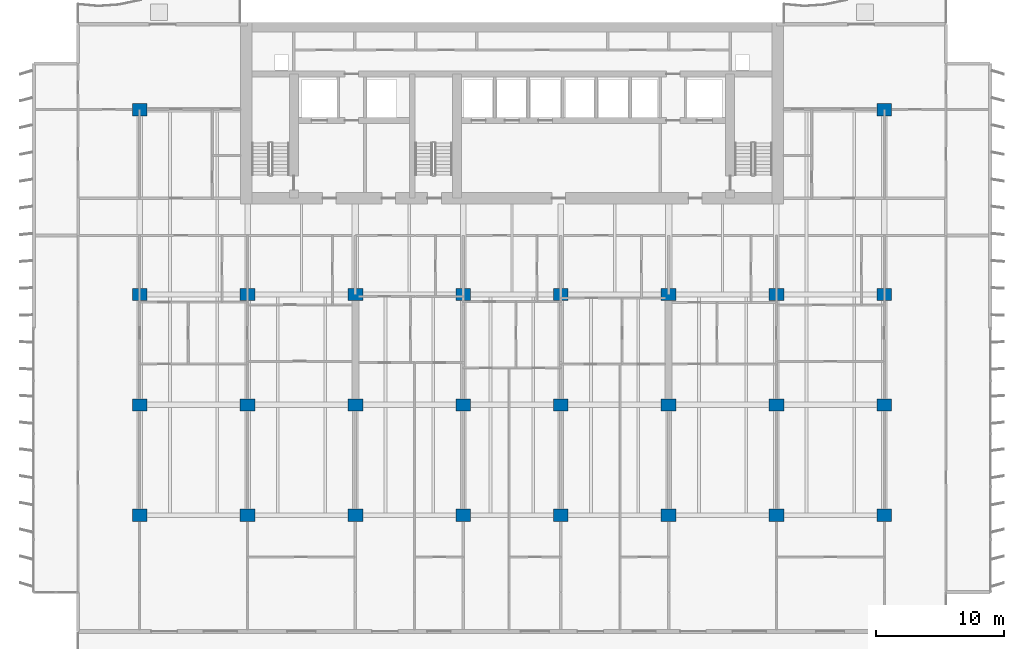
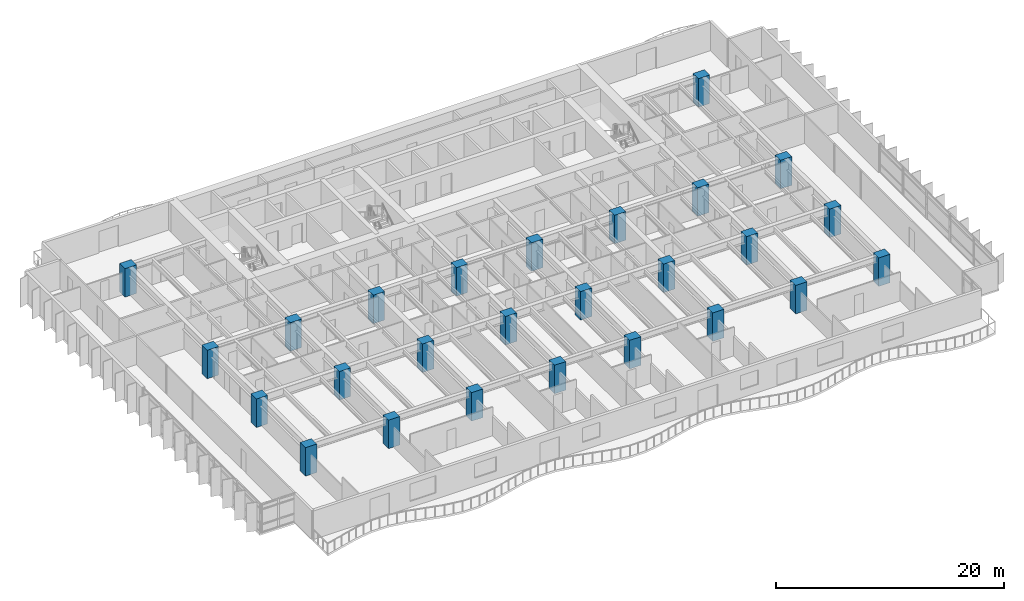
# One storey, part 1 of 18: 26 columns.
"""IFC4 building model written with IfcOpenShell, lengths in metres."""

from ifc_helpers import new_model, si_unit, direction, frame, origin, origin_2d, place, context, subcontext, project, spatial, rectangle, extrude, material, material_profile, profile_set, type_object, element, save


model = new_model("IFC4")

# Units and contexts
model_context = context("Model", 3, precision=1e-05, world=origin(), true_north=direction((0.0, 1.0)))
body_context = subcontext(model_context, "Body", "Model", "MODEL_VIEW")
ifc_project = project(units=[si_unit("LENGTHUNIT", "METRE"), si_unit("AREAUNIT", "SQUARE_METRE"), si_unit("VOLUMEUNIT", "CUBIC_METRE"), si_unit("PLANEANGLEUNIT", "RADIAN"), si_unit("MASSUNIT", "GRAM", prefix="KILO")], contexts=[model_context])

# Site, building, storey
site_placement = place(None, origin())
site = spatial("IfcSite", under=ifc_project, at=site_placement, CompositionType="ELEMENT")
building_placement = place(site_placement, origin())
building = spatial("IfcBuilding", under=site, at=building_placement, Name="Caelmar Bay Residences", CompositionType="ELEMENT")
storey_placement = place(building_placement, frame((0.0, 0.0, 43.199951171875)))
storey = spatial("IfcBuildingStorey", under=building, at=storey_placement, Name="L10", CompositionType="ELEMENT", Elevation=43.199951171875)

# Columns
ifc_material = material(Name="Concrete f'c 70 MPa (10,000 psi)", Category="concrete")
ifc_material_profile = material_profile(ifc_material, rectangle(XDim=1.14990234375, YDim=0.949951171875, at=origin_2d()), Name="RC-COL-1150X950")
ifc_profile_set = profile_set([ifc_material_profile], Name="Concrete f'c 70 MPa (10,000 psi)")
column_type = type_object("IfcColumnType", Name="COL-RC-1150X950", PredefinedType="COLUMN", material=ifc_profile_set)
for number, where, z_axis, x_axis, name in (
    (1, (9.89990234375, 12.199951171875, 0.0), (0.0, 0.0, 1.0), (1.0, 0.0, 0.0), "L10 Column (9.90,12.20)"),
    (2, (18.300048828125, 12.199951171875, 0.0), (0.0, 0.0, 1.0), (1.0, 0.0, 0.0), "L10 Column (18.30,12.20)"),
    (3, (26.699951171875, 12.199951171875, 0.0), (0.0, 0.0, 1.0), (1.0, 0.0, 0.0), "L10 Column (26.70,12.20)"),
    (4, (35.10009765625, 12.199951171875, 0.0), (0.0, 0.0, 1.0), (1.0, 0.0, 0.0), "L10 Column (35.10,12.20)"),
    (5, (42.699951171875, 12.199951171875, 0.0), (0.0, 0.0, 1.0), (1.0, 0.0, 0.0), "L10 Column (42.70,12.20)"),
    (6, (51.10009765625, 12.199951171875, 0.0), (0.0, 0.0, 1.0), (1.0, 0.0, 0.0), "L10 Column (51.10,12.20)"),
    (7, (59.5, 12.199951171875, 0.0), (0.0, 0.0, 1.0), (1.0, 0.0, 0.0), "L10 Column (59.50,12.20)"),
    (8, (67.89990234375, 12.199951171875, 0.0), (0.0, 0.0, 1.0), (1.0, 0.0, 0.0), "L10 Column (67.90,12.20)"),
    (9, (9.89990234375, 20.800048828125, 0.0), (0.0, 0.0, 1.0), (1.0, 0.0, 0.0), "L10 Column (9.90,20.80)"),
    (10, (18.300048828125, 20.800048828125, 0.0), (0.0, 0.0, 1.0), (1.0, 0.0, 0.0), "L10 Column (18.30,20.80)"),
    (11, (26.699951171875, 20.800048828125, 0.0), (0.0, 0.0, 1.0), (1.0, 0.0, 0.0), "L10 Column (26.70,20.80)"),
    (12, (35.10009765625, 20.800048828125, 0.0), (0.0, 0.0, 1.0), (1.0, 0.0, 0.0), "L10 Column (35.10,20.80)"),
    (13, (42.699951171875, 20.800048828125, 0.0), (0.0, 0.0, 1.0), (1.0, 0.0, 0.0), "L10 Column (42.70,20.80)"),
    (14, (51.10009765625, 20.800048828125, 0.0), (0.0, 0.0, 1.0), (1.0, 0.0, 0.0), "L10 Column (51.10,20.80)"),
    (15, (59.5, 20.800048828125, 0.0), (0.0, 0.0, 1.0), (1.0, 0.0, 0.0), "L10 Column (59.50,20.80)"),
    (16, (67.89990234375, 20.800048828125, 0.0), (0.0, 0.0, 1.0), (1.0, 0.0, 0.0), "L10 Column (67.90,20.80)"),
    (17, (9.89990234375, 29.39990234375, 0.0), (0.0, 0.0, 1.0), (1.0, 0.0, 0.0), "L10 Column (9.90,29.40)"),
    (18, (18.300048828125, 29.39990234375, 0.0), (0.0, 0.0, 1.0), (1.0, 0.0, 0.0), "L10 Column (18.30,29.40)"),
    (19, (26.699951171875, 29.39990234375, 0.0), (0.0, 0.0, 1.0), (1.0, 0.0, 0.0), "L10 Column (26.70,29.40)"),
    (20, (35.10009765625, 29.39990234375, 0.0), (0.0, 0.0, 1.0), (1.0, 0.0, 0.0), "L10 Column (35.10,29.40)"),
    (21, (42.699951171875, 29.39990234375, 0.0), (0.0, 0.0, 1.0), (1.0, 0.0, 0.0), "L10 Column (42.70,29.40)"),
    (22, (51.10009765625, 29.39990234375, 0.0), (0.0, 0.0, 1.0), (1.0, 0.0, 0.0), "L10 Column (51.10,29.40)"),
    (23, (59.5, 29.39990234375, 0.0), (0.0, 0.0, 1.0), (1.0, 0.0, 0.0), "L10 Column (59.50,29.40)"),
    (24, (67.89990234375, 29.39990234375, 0.0), (0.0, 0.0, 1.0), (1.0, 0.0, 0.0), "L10 Column (67.90,29.40)"),
    (25, (9.89990234375, 43.800048828125, 0.0), (0.0, 0.0, 1.0), (1.0, 0.0, 0.0), "L10 Column (9.90,43.80)"),
    (26, (67.89990234375, 43.800048828125, 0.0), (0.0, 0.0, 1.0), (1.0, 0.0, 0.0), "L10 Column (67.90,43.80)"),
):
    element("IfcColumn", number, at=place(storey_placement, frame(where, z_axis=z_axis, x_axis=x_axis)), inside=storey, type_object=column_type, Name=name, PredefinedType="COLUMN", context=body_context, shape_type="SweptSolid", body=[
        extrude(rectangle(XDim=1.14990234375, YDim=0.949951171875, at=origin_2d()), origin(), (0.0, 0.0, 1.0), 3.050048828125),
    ])

save(model, "model.ifc")
